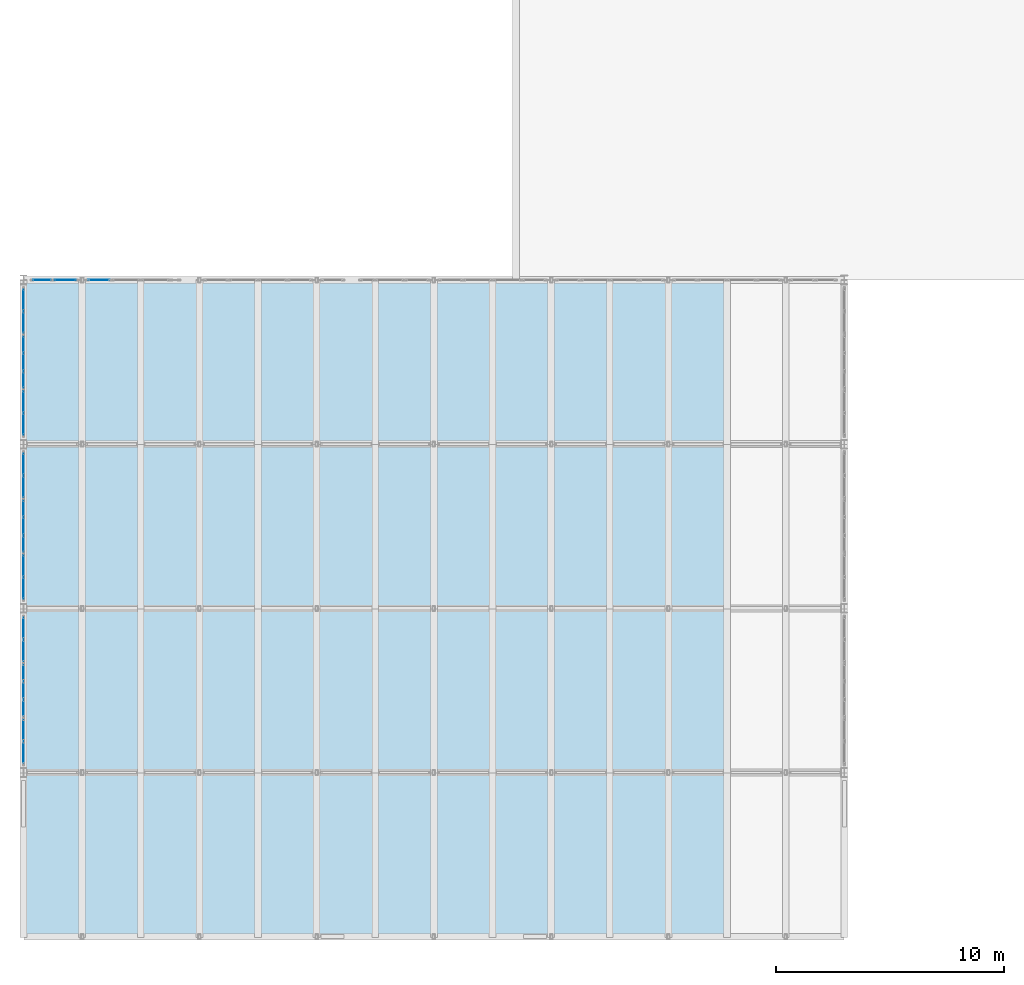
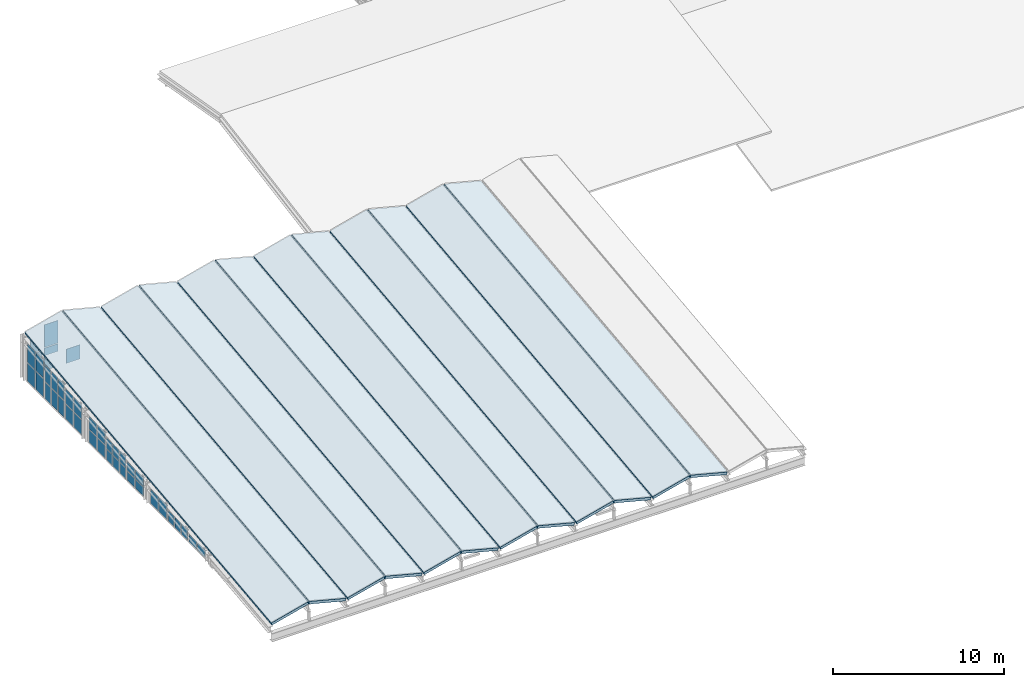
# One storey, part 27 of 39: 41 plates, 12 slabs, 13 elements without a shape of their own.
"""IFC4 building model written with IfcOpenShell, lengths in metres."""

from ifc_helpers import new_model, si_unit, direction, frame, origin, origin_2d, place, context, subcontext, project, spatial, polyline, rectangle, outline, extrude, material, layer, layer_set, type_object, element, aggregate, save


model = new_model("IFC4")

# Units and contexts
model_context = context("Model", 3, precision=1e-05, world=origin(), true_north=direction((0.0, 1.0)))
body_context = subcontext(model_context, "Body", "Model", "MODEL_VIEW")
ifc_project = project(units=[si_unit("LENGTHUNIT", "METRE"), si_unit("AREAUNIT", "SQUARE_METRE"), si_unit("VOLUMEUNIT", "CUBIC_METRE"), si_unit("PLANEANGLEUNIT", "RADIAN"), si_unit("MASSUNIT", "GRAM", prefix="KILO"), si_unit("THERMODYNAMICTEMPERATUREUNIT", "KELVIN"), si_unit("POWERUNIT", "WATT")], contexts=[model_context])

# Site, building, storey
site_placement = place(None, origin())
site = spatial("IfcSite", under=ifc_project, at=site_placement, CompositionType="ELEMENT")
building_placement = place(site_placement, origin())
building = spatial("IfcBuilding", under=site, at=building_placement, Name="Kaldorven Railside Theatre", CompositionType="ELEMENT")
storey_placement = place(building_placement, frame((0.0, 0.0, 27.300048828125)))
storey = spatial("IfcBuildingStorey", under=building, at=storey_placement, Name="ROOF", CompositionType="ELEMENT", Elevation=27.300048828125)

# Curtain wall, plates
ifc_material_1 = material(Name="Low-E laminated solar-control glass", Category="glass")
ifc_layer_1 = layer(ifc_material_1, 0.159912109375, Name="Low-E laminated solar-control glass")
ifc_layer_set_1 = layer_set([ifc_layer_1], Name="Low-E laminated solar-control glass")
curtain_wall_type_1 = type_object("IfcCurtainWallType", Name="CWT-47", PredefinedType="USERDEFINED", material=ifc_layer_set_1)
curtain_wall_1_placement = place(storey_placement, origin())
curtain_wall_1 = element("IfcCurtainWall", 1, at=curtain_wall_1_placement, inside=storey, type_object=curtain_wall_type_1, Name="Fly-Tower North Crown Clerestory CWG-063", ObjectType="FLUTED GLAZING", PredefinedType="USERDEFINED")
ifc_layer_2 = layer(ifc_material_1, 0.028076171875, Name="Low-E laminated solar-control glass")
ifc_layer_set_2 = layer_set([ifc_layer_2], Name="Low-E laminated solar-control glass")
plate_type = type_object("IfcPlateType", Name="CWP-GLZ28", PredefinedType="CURTAIN_PANEL", material=ifc_layer_set_2)
plate_1_placement = place(storey_placement, frame((88.012939453125, 112.800048828125, 0.080078125), z_axis=(0.0, 0.0, 1.0), x_axis=(1.0, 0.0, 0.0)))
plate_1 = element("IfcPlate", 2, at=plate_1_placement, type_object=plate_type, Name="CWG-063 panel 1.1", PredefinedType="CURTAIN_PANEL", context=body_context, shape_type="SweptSolid", body=[
    extrude(rectangle(XDim=0.78564453125, YDim=0.028076171875, at=origin_2d()), origin(), (0.0, 0.0, 1.0), 1.47998046875),
])
plate_2_placement = place(storey_placement, frame((88.012939453125, 112.800048828125, 1.619873046875), z_axis=(0.0, 0.0, 1.0), x_axis=(1.0, 0.0, 0.0)))
plate_2 = element("IfcPlate", 3, at=plate_2_placement, type_object=plate_type, Name="CWG-063 panel 1.2", PredefinedType="CURTAIN_PANEL", context=body_context, shape_type="SweptSolid", body=[
    extrude(rectangle(XDim=0.78564453125, YDim=0.028076171875, at=origin_2d()), origin(), (0.0, 0.0, 1.0), 1.47998046875),
])
aggregate(curtain_wall_1, [plate_1, plate_2])

ifc_layer_3 = layer(ifc_material_1, 0.159912109375, Name="Low-E laminated solar-control glass")
ifc_layer_set_3 = layer_set([ifc_layer_3], Name="Low-E laminated solar-control glass")
curtain_wall_type_2 = type_object("IfcCurtainWallType", Name="CWT-48", PredefinedType="USERDEFINED", material=ifc_layer_set_3)
curtain_wall_2_placement = place(storey_placement, origin())
curtain_wall_2 = element("IfcCurtainWall", 4, at=curtain_wall_2_placement, inside=storey, type_object=curtain_wall_type_2, Name="Fly-Tower North Crown Clerestory CWG-064", ObjectType="FLUTED GLAZING", PredefinedType="USERDEFINED")
plate_3_placement = place(storey_placement, frame((89.028564453125, 112.800048828125, 0.080078125), z_axis=(0.0, 0.0, 1.0), x_axis=(1.0, 0.0, 0.0)))
plate_3 = element("IfcPlate", 5, at=plate_3_placement, type_object=plate_type, Name="CWG-064 panel 1.1", PredefinedType="CURTAIN_PANEL", context=body_context, shape_type="SweptSolid", body=[
    extrude(rectangle(XDim=0.92578125, YDim=0.028076171875, at=origin_2d()), origin(), (0.0, 0.0, 1.0), 1.010009765625),
])
plate_4_placement = place(storey_placement, frame((89.028564453125, 112.800048828125, 1.14990234375), z_axis=(0.0, 0.0, 1.0), x_axis=(1.0, 0.0, 0.0)))
plate_4 = element("IfcPlate", 6, at=plate_4_placement, type_object=plate_type, Name="CWG-064 panel 1.2", PredefinedType="CURTAIN_PANEL", context=body_context, shape_type="SweptSolid", body=[
    extrude(rectangle(XDim=0.92578125, YDim=0.028076171875, at=origin_2d()), origin(), (0.0, 0.0, 1.0), 0.530029296875),
])
plate_5_placement = place(storey_placement, frame((89.028564453125, 112.800048828125, 1.739990234375), z_axis=(0.0, 0.0, 1.0), x_axis=(1.0, 0.0, 0.0)))
plate_5 = element("IfcPlate", 7, at=plate_5_placement, type_object=plate_type, Name="CWG-064 panel 1.3", PredefinedType="CURTAIN_PANEL", context=body_context, shape_type="SweptSolid", body=[
    extrude(rectangle(XDim=0.92578125, YDim=0.028076171875, at=origin_2d()), origin(), (0.0, 0.0, 1.0), 1.60009765625),
])
aggregate(curtain_wall_2, [plate_3, plate_4, plate_5])

# Curtain wall, plate
curtain_wall_3_placement = place(storey_placement, origin())
curtain_wall_3 = element("IfcCurtainWall", 8, at=curtain_wall_3_placement, inside=storey, type_object=curtain_wall_type_2, Name="Fly-Tower North Crown Clerestory CWG-065", ObjectType="FLUTED GLAZING", PredefinedType="USERDEFINED")
plate_6_placement = place(storey_placement, frame((90.51416015625, 112.800048828125, 0.080078125), z_axis=(0.0, 0.0, 1.0), x_axis=(1.0, 0.0, 0.0)))
plate_6 = element("IfcPlate", 9, at=plate_6_placement, type_object=plate_type, Name="CWG-065 panel 1.1", PredefinedType="CURTAIN_PANEL", context=body_context, shape_type="SweptSolid", body=[
    extrude(rectangle(XDim=0.92578125, YDim=0.028076171875, at=origin_2d()), origin(), (0.0, 0.0, 1.0), 1.010009765625),
])
aggregate(curtain_wall_3, [plate_6])

# Curtain wall, plates
ifc_layer_4 = layer(ifc_material_1, 0.159912109375, Name="Low-E laminated solar-control glass")
ifc_layer_set_4 = layer_set([ifc_layer_4], Name="Low-E laminated solar-control glass")
curtain_wall_type_3 = type_object("IfcCurtainWallType", Name="CWT-53", PredefinedType="USERDEFINED", material=ifc_layer_set_4)
curtain_wall_4_placement = place(storey_placement, origin())
curtain_wall_4 = element("IfcCurtainWall", 10, at=curtain_wall_4_placement, inside=storey, type_object=curtain_wall_type_3, Name="Fly-Tower West Crown Clerestory CWG-092", ObjectType="FLUTED GLAZING", PredefinedType="USERDEFINED")
plate_7_placement = place(storey_placement, frame((87.199951171875, 92.074951171875, 0.080078125), z_axis=(0.0, 0.0, 1.0), x_axis=(0.0, 1.0, 0.0)))
plate_7 = element("IfcPlate", 11, at=plate_7_placement, type_object=plate_type, Name="CWG-092 panel 1.1", PredefinedType="CURTAIN_PANEL", context=body_context, shape_type="SweptSolid", body=[
    extrude(rectangle(XDim=0.909912109375, YDim=0.028076171875, at=origin_2d()), origin(), (0.0, 0.0, 1.0), 0.510009765625),
])
plate_8_placement = place(storey_placement, frame((87.199951171875, 93.06494140625, 0.080078125), z_axis=(0.0, 0.0, 1.0), x_axis=(0.0, 1.0, 0.0)))
plate_8 = element("IfcPlate", 12, at=plate_8_placement, type_object=plate_type, Name="CWG-092 panel 2.1", PredefinedType="CURTAIN_PANEL", context=body_context, shape_type="SweptSolid", body=[
    extrude(rectangle(XDim=0.909912109375, YDim=0.028076171875, at=origin_2d()), origin(), (0.0, 0.0, 1.0), 0.510009765625),
])
aggregate(curtain_wall_4, [plate_7, plate_8])

ifc_layer_5 = layer(ifc_material_1, 0.159912109375, Name="Low-E laminated solar-control glass")
ifc_layer_set_5 = layer_set([ifc_layer_5], Name="Low-E laminated solar-control glass")
curtain_wall_type_4 = type_object("IfcCurtainWallType", Name="CWT-27", PredefinedType="USERDEFINED", material=ifc_layer_set_5)
curtain_wall_5_placement = place(storey_placement, origin())
curtain_wall_5 = element("IfcCurtainWall", 13, at=curtain_wall_5_placement, inside=storey, type_object=curtain_wall_type_4, Name="Fly-Tower West Crown Clerestory CWG-093", ObjectType="FLUTED GLAZING", PredefinedType="USERDEFINED")
plate_9_placement = place(storey_placement, frame((87.199951171875, 94.02001953125, 0.079833984375), z_axis=(0.0, 0.0, 1.0), x_axis=(0.0, 1.0, 0.0)))
plate_9 = element("IfcPlate", 14, at=plate_9_placement, type_object=plate_type, Name="CWG-093 panel 1.1", PredefinedType="CURTAIN_PANEL", context=body_context, shape_type="SweptSolid", body=[
    extrude(rectangle(XDim=0.679931640625, YDim=0.028076171875, at=origin_2d()), origin(), (0.0, 0.0, 1.0), 0.75),
])
plate_10_placement = place(storey_placement, frame((87.199951171875, 94.800048828125, 0.079833984375), z_axis=(0.0, 0.0, 1.0), x_axis=(0.0, 1.0, 0.0)))
plate_10 = element("IfcPlate", 15, at=plate_10_placement, type_object=plate_type, Name="CWG-093 panel 2.1", PredefinedType="CURTAIN_PANEL", context=body_context, shape_type="SweptSolid", body=[
    extrude(rectangle(XDim=0.719970703125, YDim=0.028076171875, at=origin_2d()), origin(), (0.0, 0.0, 1.0), 0.75),
])
plate_11_placement = place(storey_placement, frame((87.199951171875, 95.580078125, 0.079833984375), z_axis=(0.0, 0.0, 1.0), x_axis=(0.0, 1.0, 0.0)))
plate_11 = element("IfcPlate", 16, at=plate_11_placement, type_object=plate_type, Name="CWG-093 panel 3.1", PredefinedType="CURTAIN_PANEL", context=body_context, shape_type="SweptSolid", body=[
    extrude(rectangle(XDim=0.679931640625, YDim=0.028076171875, at=origin_2d()), origin(), (0.0, 0.0, 1.0), 0.75),
])
aggregate(curtain_wall_5, [plate_9, plate_10, plate_11])

ifc_layer_6 = layer(ifc_material_1, 0.159912109375, Name="Low-E laminated solar-control glass")
ifc_layer_set_6 = layer_set([ifc_layer_6], Name="Low-E laminated solar-control glass")
curtain_wall_type_5 = type_object("IfcCurtainWallType", Name="CWT-54", PredefinedType="USERDEFINED", material=ifc_layer_set_6)
curtain_wall_6_placement = place(storey_placement, origin())
curtain_wall_6 = element("IfcCurtainWall", 17, at=curtain_wall_6_placement, inside=storey, type_object=curtain_wall_type_5, Name="Fly-Tower West Crown Clerestory CWG-094", ObjectType="FLUTED GLAZING", PredefinedType="USERDEFINED")
plate_12_placement = place(storey_placement, frame((87.199951171875, 96.534912109375, 0.079833984375), z_axis=(0.0, 0.0, 1.0), x_axis=(0.0, 1.0, 0.0)))
plate_12 = element("IfcPlate", 18, at=plate_12_placement, type_object=plate_type, Name="CWG-094 panel 1.1", PredefinedType="CURTAIN_PANEL", context=body_context, shape_type="SweptSolid", body=[
    extrude(rectangle(XDim=0.909912109375, YDim=0.028076171875, at=origin_2d()), origin(), (0.0, 0.0, 1.0), 1.02001953125),
])
plate_13_placement = place(storey_placement, frame((87.199951171875, 97.52490234375, 0.079833984375), z_axis=(0.0, 0.0, 1.0), x_axis=(0.0, 1.0, 0.0)))
plate_13 = element("IfcPlate", 19, at=plate_13_placement, type_object=plate_type, Name="CWG-094 panel 2.1", PredefinedType="CURTAIN_PANEL", context=body_context, shape_type="SweptSolid", body=[
    extrude(rectangle(XDim=0.909912109375, YDim=0.028076171875, at=origin_2d()), origin(), (0.0, 0.0, 1.0), 1.02001953125),
])
aggregate(curtain_wall_6, [plate_12, plate_13])

ifc_layer_7 = layer(ifc_material_1, 0.159912109375, Name="Low-E laminated solar-control glass")
ifc_layer_set_7 = layer_set([ifc_layer_7], Name="Low-E laminated solar-control glass")
curtain_wall_type_6 = type_object("IfcCurtainWallType", Name="CWT-55", PredefinedType="USERDEFINED", material=ifc_layer_set_7)
curtain_wall_7_placement = place(storey_placement, origin())
curtain_wall_7 = element("IfcCurtainWall", 20, at=curtain_wall_7_placement, inside=storey, type_object=curtain_wall_type_6, Name="Fly-Tower West Crown Clerestory CWG-095", ObjectType="FLUTED GLAZING", PredefinedType="USERDEFINED")
plate_14_placement = place(storey_placement, frame((87.199951171875, 99.27490234375, 0.080078125), z_axis=(0.0, 0.0, 1.0), x_axis=(0.0, 1.0, 0.0)))
plate_14 = element("IfcPlate", 21, at=plate_14_placement, type_object=plate_type, Name="CWG-095 panel 1.1", PredefinedType="CURTAIN_PANEL", context=body_context, shape_type="SweptSolid", body=[
    extrude(rectangle(XDim=0.909912109375, YDim=0.028076171875, at=origin_2d()), origin(), (0.0, 0.0, 1.0), 0.635009765625),
])
plate_15_placement = place(storey_placement, frame((87.199951171875, 99.27490234375, 0.77490234375), z_axis=(0.0, 0.0, 1.0), x_axis=(0.0, 1.0, 0.0)))
plate_15 = element("IfcPlate", 22, at=plate_15_placement, type_object=plate_type, Name="CWG-095 panel 1.2", PredefinedType="CURTAIN_PANEL", context=body_context, shape_type="SweptSolid", body=[
    extrude(rectangle(XDim=0.909912109375, YDim=0.028076171875, at=origin_2d()), origin(), (0.0, 0.0, 1.0), 0.635009765625),
])
plate_16_placement = place(storey_placement, frame((87.199951171875, 100.264892578125, 0.080078125), z_axis=(0.0, 0.0, 1.0), x_axis=(0.0, 1.0, 0.0)))
plate_16 = element("IfcPlate", 23, at=plate_16_placement, type_object=plate_type, Name="CWG-095 panel 2.1", PredefinedType="CURTAIN_PANEL", context=body_context, shape_type="SweptSolid", body=[
    extrude(rectangle(XDim=0.909912109375, YDim=0.028076171875, at=origin_2d()), origin(), (0.0, 0.0, 1.0), 0.635009765625),
])
plate_17_placement = place(storey_placement, frame((87.199951171875, 100.264892578125, 0.77490234375), z_axis=(0.0, 0.0, 1.0), x_axis=(0.0, 1.0, 0.0)))
plate_17 = element("IfcPlate", 24, at=plate_17_placement, type_object=plate_type, Name="CWG-095 panel 2.2", PredefinedType="CURTAIN_PANEL", context=body_context, shape_type="SweptSolid", body=[
    extrude(rectangle(XDim=0.909912109375, YDim=0.028076171875, at=origin_2d()), origin(), (0.0, 0.0, 1.0), 0.635009765625),
])
aggregate(curtain_wall_7, [plate_14, plate_15, plate_16, plate_17])

ifc_layer_8 = layer(ifc_material_1, 0.159912109375, Name="Low-E laminated solar-control glass")
ifc_layer_set_8 = layer_set([ifc_layer_8], Name="Low-E laminated solar-control glass")
curtain_wall_type_7 = type_object("IfcCurtainWallType", Name="CWT-56", PredefinedType="USERDEFINED", material=ifc_layer_set_8)
curtain_wall_8_placement = place(storey_placement, origin())
curtain_wall_8 = element("IfcCurtainWall", 25, at=curtain_wall_8_placement, inside=storey, type_object=curtain_wall_type_7, Name="Fly-Tower West Crown Clerestory CWG-096", ObjectType="FLUTED GLAZING", PredefinedType="USERDEFINED")
plate_18_placement = place(storey_placement, frame((87.199951171875, 101.219970703125, 0.080078125), z_axis=(0.0, 0.0, 1.0), x_axis=(0.0, 1.0, 0.0)))
plate_18 = element("IfcPlate", 26, at=plate_18_placement, type_object=plate_type, Name="CWG-096 panel 1.1", PredefinedType="CURTAIN_PANEL", context=body_context, shape_type="SweptSolid", body=[
    extrude(rectangle(XDim=0.679931640625, YDim=0.028076171875, at=origin_2d()), origin(), (0.0, 0.0, 1.0), 0.7548828125),
])
plate_19_placement = place(storey_placement, frame((87.199951171875, 101.219970703125, 0.89501953125), z_axis=(0.0, 0.0, 1.0), x_axis=(0.0, 1.0, 0.0)))
plate_19 = element("IfcPlate", 27, at=plate_19_placement, type_object=plate_type, Name="CWG-096 panel 1.2", PredefinedType="CURTAIN_PANEL", context=body_context, shape_type="SweptSolid", body=[
    extrude(rectangle(XDim=0.679931640625, YDim=0.028076171875, at=origin_2d()), origin(), (0.0, 0.0, 1.0), 0.7548828125),
])
plate_20_placement = place(storey_placement, frame((87.199951171875, 102.0, 0.080078125), z_axis=(0.0, 0.0, 1.0), x_axis=(0.0, 1.0, 0.0)))
plate_20 = element("IfcPlate", 28, at=plate_20_placement, type_object=plate_type, Name="CWG-096 panel 2.1", PredefinedType="CURTAIN_PANEL", context=body_context, shape_type="SweptSolid", body=[
    extrude(rectangle(XDim=0.719970703125, YDim=0.028076171875, at=origin_2d()), origin(), (0.0, 0.0, 1.0), 0.7548828125),
])
plate_21_placement = place(storey_placement, frame((87.199951171875, 102.0, 0.89501953125), z_axis=(0.0, 0.0, 1.0), x_axis=(0.0, 1.0, 0.0)))
plate_21 = element("IfcPlate", 29, at=plate_21_placement, type_object=plate_type, Name="CWG-096 panel 2.2", PredefinedType="CURTAIN_PANEL", context=body_context, shape_type="SweptSolid", body=[
    extrude(rectangle(XDim=0.719970703125, YDim=0.028076171875, at=origin_2d()), origin(), (0.0, 0.0, 1.0), 0.7548828125),
])
plate_22_placement = place(storey_placement, frame((87.199951171875, 102.780029296875, 0.080078125), z_axis=(0.0, 0.0, 1.0), x_axis=(0.0, 1.0, 0.0)))
plate_22 = element("IfcPlate", 30, at=plate_22_placement, type_object=plate_type, Name="CWG-096 panel 3.1", PredefinedType="CURTAIN_PANEL", context=body_context, shape_type="SweptSolid", body=[
    extrude(rectangle(XDim=0.679931640625, YDim=0.028076171875, at=origin_2d()), origin(), (0.0, 0.0, 1.0), 0.7548828125),
])
plate_23_placement = place(storey_placement, frame((87.199951171875, 102.780029296875, 0.89501953125), z_axis=(0.0, 0.0, 1.0), x_axis=(0.0, 1.0, 0.0)))
plate_23 = element("IfcPlate", 31, at=plate_23_placement, type_object=plate_type, Name="CWG-096 panel 3.2", PredefinedType="CURTAIN_PANEL", context=body_context, shape_type="SweptSolid", body=[
    extrude(rectangle(XDim=0.679931640625, YDim=0.028076171875, at=origin_2d()), origin(), (0.0, 0.0, 1.0), 0.7548828125),
])
aggregate(curtain_wall_8, [plate_18, plate_19, plate_20, plate_21, plate_22, plate_23])

ifc_layer_9 = layer(ifc_material_1, 0.159912109375, Name="Low-E laminated solar-control glass")
ifc_layer_set_9 = layer_set([ifc_layer_9], Name="Low-E laminated solar-control glass")
curtain_wall_type_8 = type_object("IfcCurtainWallType", Name="CWT-57", PredefinedType="USERDEFINED", material=ifc_layer_set_9)
curtain_wall_9_placement = place(storey_placement, origin())
curtain_wall_9 = element("IfcCurtainWall", 32, at=curtain_wall_9_placement, inside=storey, type_object=curtain_wall_type_8, Name="Fly-Tower West Crown Clerestory CWG-097", ObjectType="FLUTED GLAZING", PredefinedType="USERDEFINED")
plate_24_placement = place(storey_placement, frame((87.199951171875, 103.735107421875, 0.080078125), z_axis=(0.0, 0.0, 1.0), x_axis=(0.0, 1.0, 0.0)))
plate_24 = element("IfcPlate", 33, at=plate_24_placement, type_object=plate_type, Name="CWG-097 panel 1.1", PredefinedType="CURTAIN_PANEL", context=body_context, shape_type="SweptSolid", body=[
    extrude(rectangle(XDim=0.909912109375, YDim=0.028076171875, at=origin_2d()), origin(), (0.0, 0.0, 1.0), 0.889892578125),
])
plate_25_placement = place(storey_placement, frame((87.199951171875, 103.735107421875, 1.02978515625), z_axis=(0.0, 0.0, 1.0), x_axis=(0.0, 1.0, 0.0)))
plate_25 = element("IfcPlate", 34, at=plate_25_placement, type_object=plate_type, Name="CWG-097 panel 1.2", PredefinedType="CURTAIN_PANEL", context=body_context, shape_type="SweptSolid", body=[
    extrude(rectangle(XDim=0.909912109375, YDim=0.028076171875, at=origin_2d()), origin(), (0.0, 0.0, 1.0), 0.889892578125),
])
plate_26_placement = place(storey_placement, frame((87.199951171875, 104.72509765625, 0.080078125), z_axis=(0.0, 0.0, 1.0), x_axis=(0.0, 1.0, 0.0)))
plate_26 = element("IfcPlate", 35, at=plate_26_placement, type_object=plate_type, Name="CWG-097 panel 2.1", PredefinedType="CURTAIN_PANEL", context=body_context, shape_type="SweptSolid", body=[
    extrude(rectangle(XDim=0.909912109375, YDim=0.028076171875, at=origin_2d()), origin(), (0.0, 0.0, 1.0), 0.889892578125),
])
plate_27_placement = place(storey_placement, frame((87.199951171875, 104.72509765625, 1.02978515625), z_axis=(0.0, 0.0, 1.0), x_axis=(0.0, 1.0, 0.0)))
plate_27 = element("IfcPlate", 36, at=plate_27_placement, type_object=plate_type, Name="CWG-097 panel 2.2", PredefinedType="CURTAIN_PANEL", context=body_context, shape_type="SweptSolid", body=[
    extrude(rectangle(XDim=0.909912109375, YDim=0.028076171875, at=origin_2d()), origin(), (0.0, 0.0, 1.0), 0.889892578125),
])
aggregate(curtain_wall_9, [plate_24, plate_25, plate_26, plate_27])

ifc_layer_10 = layer(ifc_material_1, 0.159912109375, Name="Low-E laminated solar-control glass")
ifc_layer_set_10 = layer_set([ifc_layer_10], Name="Low-E laminated solar-control glass")
curtain_wall_type_9 = type_object("IfcCurtainWallType", Name="CWT-58", PredefinedType="USERDEFINED", material=ifc_layer_set_10)
curtain_wall_10_placement = place(storey_placement, origin())
curtain_wall_10 = element("IfcCurtainWall", 37, at=curtain_wall_10_placement, inside=storey, type_object=curtain_wall_type_9, Name="Fly-Tower West Crown Clerestory CWG-098", ObjectType="FLUTED GLAZING", PredefinedType="USERDEFINED")
plate_28_placement = place(storey_placement, frame((87.199951171875, 106.47509765625, 0.080078125), z_axis=(0.0, 0.0, 1.0), x_axis=(0.0, 1.0, 0.0)))
plate_28 = element("IfcPlate", 38, at=plate_28_placement, type_object=plate_type, Name="CWG-098 panel 1.1", PredefinedType="CURTAIN_PANEL", context=body_context, shape_type="SweptSolid", body=[
    extrude(rectangle(XDim=0.909912109375, YDim=0.028076171875, at=origin_2d()), origin(), (0.0, 0.0, 1.0), 1.044921875),
])
plate_29_placement = place(storey_placement, frame((87.199951171875, 106.47509765625, 1.18505859375), z_axis=(0.0, 0.0, 1.0), x_axis=(0.0, 1.0, 0.0)))
plate_29 = element("IfcPlate", 39, at=plate_29_placement, type_object=plate_type, Name="CWG-098 panel 1.2", PredefinedType="CURTAIN_PANEL", context=body_context, shape_type="SweptSolid", body=[
    extrude(rectangle(XDim=0.909912109375, YDim=0.028076171875, at=origin_2d()), origin(), (0.0, 0.0, 1.0), 1.044921875),
])
plate_30_placement = place(storey_placement, frame((87.199951171875, 107.465087890625, 0.080078125), z_axis=(0.0, 0.0, 1.0), x_axis=(0.0, 1.0, 0.0)))
plate_30 = element("IfcPlate", 40, at=plate_30_placement, type_object=plate_type, Name="CWG-098 panel 2.1", PredefinedType="CURTAIN_PANEL", context=body_context, shape_type="SweptSolid", body=[
    extrude(rectangle(XDim=0.909912109375, YDim=0.028076171875, at=origin_2d()), origin(), (0.0, 0.0, 1.0), 1.044921875),
])
plate_31_placement = place(storey_placement, frame((87.199951171875, 107.465087890625, 1.18505859375), z_axis=(0.0, 0.0, 1.0), x_axis=(0.0, 1.0, 0.0)))
plate_31 = element("IfcPlate", 41, at=plate_31_placement, type_object=plate_type, Name="CWG-098 panel 2.2", PredefinedType="CURTAIN_PANEL", context=body_context, shape_type="SweptSolid", body=[
    extrude(rectangle(XDim=0.909912109375, YDim=0.028076171875, at=origin_2d()), origin(), (0.0, 0.0, 1.0), 1.044921875),
])
aggregate(curtain_wall_10, [plate_28, plate_29, plate_30, plate_31])

ifc_layer_11 = layer(ifc_material_1, 0.159912109375, Name="Low-E laminated solar-control glass")
ifc_layer_set_11 = layer_set([ifc_layer_11], Name="Low-E laminated solar-control glass")
curtain_wall_type_10 = type_object("IfcCurtainWallType", Name="CWT-33", PredefinedType="USERDEFINED", material=ifc_layer_set_11)
curtain_wall_11_placement = place(storey_placement, origin())
curtain_wall_11 = element("IfcCurtainWall", 42, at=curtain_wall_11_placement, inside=storey, type_object=curtain_wall_type_10, Name="Fly-Tower West Crown Clerestory CWG-099", ObjectType="FLUTED GLAZING", PredefinedType="USERDEFINED")
plate_32_placement = place(storey_placement, frame((87.199951171875, 108.419921875, 0.079833984375), z_axis=(0.0, 0.0, 1.0), x_axis=(0.0, 1.0, 0.0)))
plate_32 = element("IfcPlate", 43, at=plate_32_placement, type_object=plate_type, Name="CWG-099 panel 1.1", PredefinedType="CURTAIN_PANEL", context=body_context, shape_type="SweptSolid", body=[
    extrude(rectangle(XDim=0.679931640625, YDim=0.028076171875, at=origin_2d()), origin(), (0.0, 0.0, 1.0), 1.1650390625),
])
plate_33_placement = place(storey_placement, frame((87.199951171875, 108.419921875, 1.304931640625), z_axis=(0.0, 0.0, 1.0), x_axis=(0.0, 1.0, 0.0)))
plate_33 = element("IfcPlate", 44, at=plate_33_placement, type_object=plate_type, Name="CWG-099 panel 1.2", PredefinedType="CURTAIN_PANEL", context=body_context, shape_type="SweptSolid", body=[
    extrude(rectangle(XDim=0.679931640625, YDim=0.028076171875, at=origin_2d()), origin(), (0.0, 0.0, 1.0), 1.1650390625),
])
plate_34_placement = place(storey_placement, frame((87.199951171875, 109.199951171875, 0.079833984375), z_axis=(0.0, 0.0, 1.0), x_axis=(0.0, 1.0, 0.0)))
plate_34 = element("IfcPlate", 45, at=plate_34_placement, type_object=plate_type, Name="CWG-099 panel 2.1", PredefinedType="CURTAIN_PANEL", context=body_context, shape_type="SweptSolid", body=[
    extrude(rectangle(XDim=0.719970703125, YDim=0.028076171875, at=origin_2d()), origin(), (0.0, 0.0, 1.0), 1.1650390625),
])
plate_35_placement = place(storey_placement, frame((87.199951171875, 109.199951171875, 1.304931640625), z_axis=(0.0, 0.0, 1.0), x_axis=(0.0, 1.0, 0.0)))
plate_35 = element("IfcPlate", 46, at=plate_35_placement, type_object=plate_type, Name="CWG-099 panel 2.2", PredefinedType="CURTAIN_PANEL", context=body_context, shape_type="SweptSolid", body=[
    extrude(rectangle(XDim=0.719970703125, YDim=0.028076171875, at=origin_2d()), origin(), (0.0, 0.0, 1.0), 1.1650390625),
])
plate_36_placement = place(storey_placement, frame((87.199951171875, 109.97998046875, 0.079833984375), z_axis=(0.0, 0.0, 1.0), x_axis=(0.0, 1.0, 0.0)))
plate_36 = element("IfcPlate", 47, at=plate_36_placement, type_object=plate_type, Name="CWG-099 panel 3.1", PredefinedType="CURTAIN_PANEL", context=body_context, shape_type="SweptSolid", body=[
    extrude(rectangle(XDim=0.679931640625, YDim=0.028076171875, at=origin_2d()), origin(), (0.0, 0.0, 1.0), 1.1650390625),
])
plate_37_placement = place(storey_placement, frame((87.199951171875, 109.97998046875, 1.304931640625), z_axis=(0.0, 0.0, 1.0), x_axis=(0.0, 1.0, 0.0)))
plate_37 = element("IfcPlate", 48, at=plate_37_placement, type_object=plate_type, Name="CWG-099 panel 3.2", PredefinedType="CURTAIN_PANEL", context=body_context, shape_type="SweptSolid", body=[
    extrude(rectangle(XDim=0.679931640625, YDim=0.028076171875, at=origin_2d()), origin(), (0.0, 0.0, 1.0), 1.1650390625),
])
aggregate(curtain_wall_11, [plate_32, plate_33, plate_34, plate_35, plate_36, plate_37])

ifc_layer_12 = layer(ifc_material_1, 0.159912109375, Name="Low-E laminated solar-control glass")
ifc_layer_set_12 = layer_set([ifc_layer_12], Name="Low-E laminated solar-control glass")
curtain_wall_type_11 = type_object("IfcCurtainWallType", Name="CWT-59", PredefinedType="USERDEFINED", material=ifc_layer_set_12)
curtain_wall_12_placement = place(storey_placement, origin())
curtain_wall_12 = element("IfcCurtainWall", 49, at=curtain_wall_12_placement, inside=storey, type_object=curtain_wall_type_11, Name="Fly-Tower West Crown Clerestory CWG-100", ObjectType="FLUTED GLAZING", PredefinedType="USERDEFINED")
plate_38_placement = place(storey_placement, frame((87.199951171875, 110.93505859375, 0.080078125), z_axis=(0.0, 0.0, 1.0), x_axis=(0.0, 1.0, 0.0)))
plate_38 = element("IfcPlate", 50, at=plate_38_placement, type_object=plate_type, Name="CWG-100 panel 1.1", PredefinedType="CURTAIN_PANEL", context=body_context, shape_type="SweptSolid", body=[
    extrude(rectangle(XDim=0.909912109375, YDim=0.028076171875, at=origin_2d()), origin(), (0.0, 0.0, 1.0), 1.300048828125),
])
plate_39_placement = place(storey_placement, frame((87.199951171875, 110.93505859375, 1.43994140625), z_axis=(0.0, 0.0, 1.0), x_axis=(0.0, 1.0, 0.0)))
plate_39 = element("IfcPlate", 51, at=plate_39_placement, type_object=plate_type, Name="CWG-100 panel 1.2", PredefinedType="CURTAIN_PANEL", context=body_context, shape_type="SweptSolid", body=[
    extrude(rectangle(XDim=0.909912109375, YDim=0.028076171875, at=origin_2d()), origin(), (0.0, 0.0, 1.0), 1.300048828125),
])
plate_40_placement = place(storey_placement, frame((87.199951171875, 111.925048828125, 0.080078125), z_axis=(0.0, 0.0, 1.0), x_axis=(0.0, 1.0, 0.0)))
plate_40 = element("IfcPlate", 52, at=plate_40_placement, type_object=plate_type, Name="CWG-100 panel 2.1", PredefinedType="CURTAIN_PANEL", context=body_context, shape_type="SweptSolid", body=[
    extrude(rectangle(XDim=0.909912109375, YDim=0.028076171875, at=origin_2d()), origin(), (0.0, 0.0, 1.0), 1.300048828125),
])
plate_41_placement = place(storey_placement, frame((87.199951171875, 111.925048828125, 1.43994140625), z_axis=(0.0, 0.0, 1.0), x_axis=(0.0, 1.0, 0.0)))
plate_41 = element("IfcPlate", 53, at=plate_41_placement, type_object=plate_type, Name="CWG-100 panel 2.2", PredefinedType="CURTAIN_PANEL", context=body_context, shape_type="SweptSolid", body=[
    extrude(rectangle(XDim=0.909912109375, YDim=0.028076171875, at=origin_2d()), origin(), (0.0, 0.0, 1.0), 1.300048828125),
])
aggregate(curtain_wall_12, [plate_38, plate_39, plate_40, plate_41])

# Roof, slabs
ifc_material_2 = material(Name="Concrete C35/45", Category="concrete")
roof_type = type_object("IfcRoofType", Name="RF-FOLDED-FLY", PredefinedType="BUTTERFLY_ROOF", material=ifc_material_2)
roof_placement = place(storey_placement, origin())
roof = element("IfcRoof", 54, at=roof_placement, inside=storey, type_object=roof_type, Name="Fly-Tower 7-Bay Folded-Plate Crown Roof", PredefinedType="BUTTERFLY_ROOF")
ifc_layer_13 = layer(ifc_material_2, 0.199951171875, Name="Concrete C35/45")
ifc_layer_set_13 = layer_set([ifc_layer_13], Name="Concrete C35/45")
slab_type = type_object("IfcSlabType", Name="SLB-RSL-200", PredefinedType="ROOF", material=ifc_layer_set_13)
slab_1_placement = place(storey_placement, frame((87.248046875, 84.0, 0.012451171875), z_axis=(-0.248905333331, -0.109592835657, 0.962307406919), x_axis=(0.96813906852, -5.035166e-06, 0.250413146579)))
slab_1 = element("IfcSlab", 55, at=slab_1_placement, type_object=slab_type, Name="V2 Folded-Plate Roof Facet V2-FP-01L", PredefinedType="ROOF", context=body_context, shape_type="SweptSolid", body=[
    extrude(outline(polyline([(0.0, 0.0), (2.556773751478485, -1.3877787807814457e-17), (3.377991195568045, 28.974592431757625), (0.821156308067446, 28.97456652786136), (0.0, 0.0)])), origin(), (0.0, 0.0, -1.0), 0.199951171875),
])
slab_2_placement = place(storey_placement, frame((89.8193359375, 84.0, 0.652587890625), z_axis=(0.248882307017, -0.109593505226, 0.962313286236), x_axis=(0.968145055348, 5.034762e-06, -0.25038999936)))
slab_2 = element("IfcSlab", 56, at=slab_2_placement, type_object=slab_type, Name="V2 Folded-Plate Roof Facet V2-FP-01R", PredefinedType="ROOF", context=body_context, shape_type="SweptSolid", body=[
    extrude(outline(polyline([(0.0, 0.0), (2.557010117078264, 1.3877787807814457e-17), (1.7359297152820294, 28.974568678990362), (-0.8211415321671722, 28.974594583205022), (0.0, 0.0)])), origin(), (0.0, 0.0, -1.0), 0.199951171875),
])
slab_3_placement = place(storey_placement, frame((92.390869140625, 84.0, 0.012451171875), z_axis=(-0.248905333331, -0.109592835657, 0.962307406919), x_axis=(0.96813906852, -5.035166e-06, 0.250413146579)))
slab_3 = element("IfcSlab", 57, at=slab_3_placement, type_object=slab_type, Name="V2 Folded-Plate Roof Facet V2-FP-02L", PredefinedType="ROOF", context=body_context, shape_type="SweptSolid", body=[
    extrude(outline(polyline([(0.0, 0.0), (2.556773751478485, -1.3877787807814457e-17), (3.377991195568045, 28.974592431757625), (0.821156308067446, 28.97456652786136), (0.0, 0.0)])), origin(), (0.0, 0.0, -1.0), 0.199951171875),
])
slab_4_placement = place(storey_placement, frame((94.96240234375, 84.0, 0.652587890625), z_axis=(0.248905333331, -0.109592835657, 0.962307406919), x_axis=(0.96813906852, 5.035166e-06, -0.250413146579)))
slab_4 = element("IfcSlab", 58, at=slab_4_placement, type_object=slab_type, Name="V2 Folded-Plate Roof Facet V2-FP-02R", PredefinedType="ROOF", context=body_context, shape_type="SweptSolid", body=[
    extrude(outline(polyline([(0.0, 0.0), (2.556773751478485, 1.3877787807814457e-17), (1.735617443411039, 28.974566527861363), (-0.82121744408956, 28.974592431757628), (0.0, 0.0)])), origin(), (0.0, 0.0, -1.0), 0.199951171875),
])
slab_5_placement = place(storey_placement, frame((97.53369140625, 84.0, 0.012451171875), z_axis=(-0.248905333331, -0.109592835657, 0.962307406919), x_axis=(0.96813906852, -5.035166e-06, 0.250413146579)))
slab_5 = element("IfcSlab", 59, at=slab_5_placement, type_object=slab_type, Name="V2 Folded-Plate Roof Facet V2-FP-03L", PredefinedType="ROOF", context=body_context, shape_type="SweptSolid", body=[
    extrude(outline(polyline([(0.0, 0.0), (2.556773751478485, -1.3877787807814457e-17), (3.377991195568045, 28.974592431757625), (0.821156308067446, 28.97456652786136), (0.0, 0.0)])), origin(), (0.0, 0.0, -1.0), 0.199951171875),
])
slab_6_placement = place(storey_placement, frame((100.10498046875, 84.0, 0.652587890625), z_axis=(0.248882307017, -0.109593505226, 0.962313286236), x_axis=(0.968145055348, 5.034762e-06, -0.25038999936)))
slab_6 = element("IfcSlab", 60, at=slab_6_placement, type_object=slab_type, Name="V2 Folded-Plate Roof Facet V2-FP-03R", PredefinedType="ROOF", context=body_context, shape_type="SweptSolid", body=[
    extrude(outline(polyline([(0.0, 0.0), (2.557010117078264, 1.3877787807814457e-17), (1.7359297152820294, 28.974568678990362), (-0.8211415321671722, 28.974594583205022), (0.0, 0.0)])), origin(), (0.0, 0.0, -1.0), 0.199951171875),
])
slab_7_placement = place(storey_placement, frame((102.676513671875, 84.0, 0.012451171875), z_axis=(-0.248882307017, -0.109593505226, 0.962313286236), x_axis=(0.968145055348, -5.034762e-06, 0.25038999936)))
slab_7 = element("IfcSlab", 61, at=slab_7_placement, type_object=slab_type, Name="V2 Folded-Plate Roof Facet V2-FP-04L", PredefinedType="ROOF", context=body_context, shape_type="SweptSolid", body=[
    extrude(outline(polyline([(0.0, 0.0), (2.557010117078264, -1.3877787807814457e-17), (3.378151649245436, 28.97459458320502), (0.8210804017962346, 28.974568678990362), (0.0, 0.0)])), origin(), (0.0, 0.0, -1.0), 0.199951171875),
])
slab_8_placement = place(storey_placement, frame((105.248046875, 84.0, 0.652587890625), z_axis=(0.248905333331, -0.109592835657, 0.962307406919), x_axis=(0.96813906852, 5.035166e-06, -0.250413146579)))
slab_8 = element("IfcSlab", 62, at=slab_8_placement, type_object=slab_type, Name="V2 Folded-Plate Roof Facet V2-FP-04R", PredefinedType="ROOF", context=body_context, shape_type="SweptSolid", body=[
    extrude(outline(polyline([(0.0, 0.0), (2.556773751478485, 1.3877787807814457e-17), (1.735617443411039, 28.974566527861363), (-0.82121744408956, 28.974592431757628), (0.0, 0.0)])), origin(), (0.0, 0.0, -1.0), 0.199951171875),
])
slab_9_placement = place(storey_placement, frame((107.8193359375, 84.0, 0.012451171875), z_axis=(-0.248882307017, -0.109593505226, 0.962313286236), x_axis=(0.968145055348, -5.034762e-06, 0.25038999936)))
slab_9 = element("IfcSlab", 63, at=slab_9_placement, type_object=slab_type, Name="V2 Folded-Plate Roof Facet V2-FP-05L", PredefinedType="ROOF", context=body_context, shape_type="SweptSolid", body=[
    extrude(outline(polyline([(0.0, 0.0), (2.557010117078264, -1.3877787807814457e-17), (3.378151649245436, 28.97459458320502), (0.8210804017962346, 28.974568678990362), (0.0, 0.0)])), origin(), (0.0, 0.0, -1.0), 0.199951171875),
])
slab_10_placement = place(storey_placement, frame((110.390869140625, 84.0, 0.652587890625), z_axis=(0.248905333331, -0.109592835657, 0.962307406919), x_axis=(0.96813906852, 5.035166e-06, -0.250413146579)))
slab_10 = element("IfcSlab", 64, at=slab_10_placement, type_object=slab_type, Name="V2 Folded-Plate Roof Facet V2-FP-05R", PredefinedType="ROOF", context=body_context, shape_type="SweptSolid", body=[
    extrude(outline(polyline([(0.0, 0.0), (2.556773751478485, 1.3877787807814457e-17), (1.735617443411039, 28.974566527861363), (-0.82121744408956, 28.974592431757628), (0.0, 0.0)])), origin(), (0.0, 0.0, -1.0), 0.199951171875),
])
slab_11_placement = place(storey_placement, frame((112.96240234375, 84.0, 0.012451171875), z_axis=(-0.248905333331, -0.109592835657, 0.962307406919), x_axis=(0.96813906852, -5.035166e-06, 0.250413146579)))
slab_11 = element("IfcSlab", 65, at=slab_11_placement, type_object=slab_type, Name="V2 Folded-Plate Roof Facet V2-FP-06L", PredefinedType="ROOF", context=body_context, shape_type="SweptSolid", body=[
    extrude(outline(polyline([(0.0, 0.0), (2.556773751478485, -1.3877787807814457e-17), (3.377991195568045, 28.974592431757625), (0.821156308067446, 28.97456652786136), (0.0, 0.0)])), origin(), (0.0, 0.0, -1.0), 0.199951171875),
])
slab_12_placement = place(storey_placement, frame((115.53369140625, 84.0, 0.652587890625), z_axis=(0.248882307017, -0.109593505226, 0.962313286236), x_axis=(0.968145055348, 5.034762e-06, -0.25038999936)))
slab_12 = element("IfcSlab", 66, at=slab_12_placement, type_object=slab_type, Name="V2 Folded-Plate Roof Facet V2-FP-06R", PredefinedType="ROOF", context=body_context, shape_type="SweptSolid", body=[
    extrude(outline(polyline([(0.0, 0.0), (2.557010117078264, 1.3877787807814457e-17), (1.7359297152820294, 28.974568678990362), (-0.8211415321671722, 28.974594583205022), (0.0, 0.0)])), origin(), (0.0, 0.0, -1.0), 0.199951171875),
])
aggregate(roof, [slab_1, slab_2, slab_3, slab_4, slab_5, slab_6, slab_7, slab_8, slab_9, slab_10, slab_11, slab_12])

save(model, "model.ifc")
